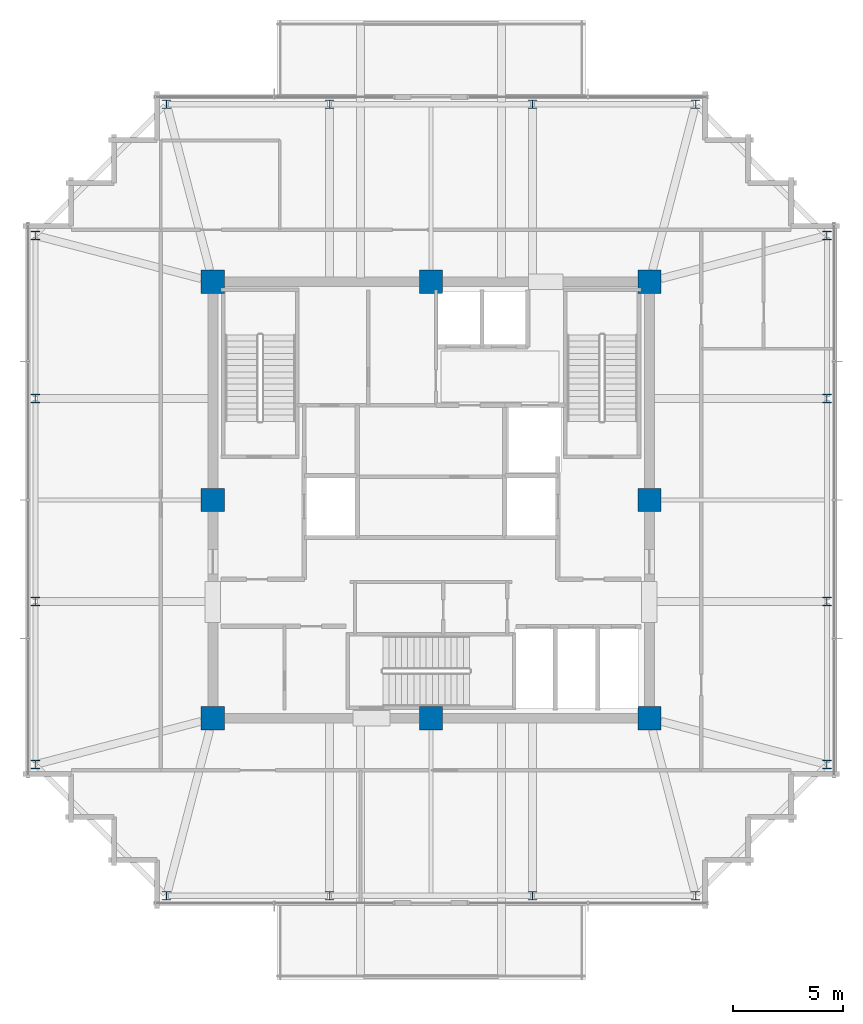
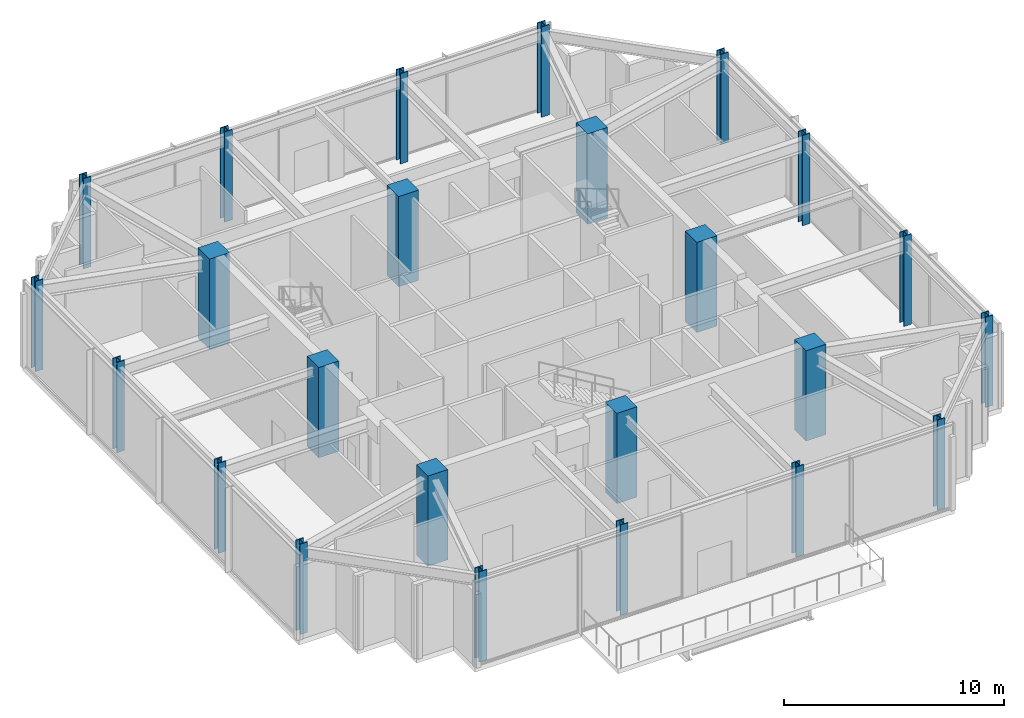
# One storey, part 1 of 31: 24 columns.
"""IFC4 building model written with IfcOpenShell, lengths in metres."""

from ifc_helpers import new_model, si_unit, direction, frame, origin, origin_2d, place, context, subcontext, project, spatial, rectangle, i_section, extrude, material, material_profile, profile_set, type_object, element, save


model = new_model("IFC4")

# Units and contexts
model_context = context("Model", 3, precision=1e-05, world=origin(), true_north=direction((0.0, 1.0)))
body_context = subcontext(model_context, "Body", "Model", "MODEL_VIEW")
ifc_project = project(units=[si_unit("LENGTHUNIT", "METRE"), si_unit("AREAUNIT", "SQUARE_METRE"), si_unit("VOLUMEUNIT", "CUBIC_METRE"), si_unit("PLANEANGLEUNIT", "RADIAN"), si_unit("MASSUNIT", "GRAM", prefix="KILO")], contexts=[model_context])

# Site, building, storey
site_placement = place(None, origin())
site = spatial("IfcSite", under=ifc_project, at=site_placement, CompositionType="ELEMENT")
building_placement = place(site_placement, origin())
building = spatial("IfcBuilding", under=site, at=building_placement, Name="Kolvaren Belvedere", CompositionType="ELEMENT")
storey_placement = place(building_placement, frame((0.0, 0.0, 267.39990234375)))
storey = spatial("IfcBuildingStorey", under=building, at=storey_placement, Name="L77", CompositionType="ELEMENT", Elevation=267.39990234375)

# Columns
ifc_material_1 = material(Name="Concrete C50/60", Category="concrete")
ifc_material_profile_1 = material_profile(ifc_material_1, rectangle(XDim=1.050048828125, YDim=1.050048828125, at=origin_2d()), Name="RC 1050X1050")
ifc_profile_set_1 = profile_set([ifc_material_profile_1], Name="Concrete C50/60")
column_type_1 = type_object("IfcColumnType", Name="COL-RC-1050", PredefinedType="COLUMN", material=ifc_profile_set_1)
for number, where, z_axis, x_axis, name in (
    (1, (-9.89990234375, -9.89990234375, 0.0), (0.0, 0.0, 1.0), (1.0, 0.0, 0.0), "L77 Core Column CC1"),
    (2, (9.89990234375, -9.89990234375, 0.0), (0.0, 0.0, 1.0), (1.0, 0.0, 0.0), "L77 Core Column CC2"),
    (3, (9.89990234375, 9.89990234375, 0.0), (0.0, 0.0, 1.0), (1.0, 0.0, 0.0), "L77 Core Column CC3"),
    (4, (-9.89990234375, 9.89990234375, 0.0), (0.0, 0.0, 1.0), (1.0, 0.0, 0.0), "L77 Core Column CC4"),
    (5, (0.0, -9.89990234375, 0.0), (0.0, 0.0, 1.0), (1.0, 0.0, 0.0), "L77 Core Column CM1"),
    (6, (9.89990234375, 0.0, 0.0), (0.0, 0.0, 1.0), (1.0, 0.0, 0.0), "L77 Core Column CM2"),
    (7, (0.0, 9.89990234375, 0.0), (0.0, 0.0, 1.0), (1.0, 0.0, 0.0), "L77 Core Column CM3"),
    (8, (-9.89990234375, 0.0, 0.0), (0.0, 0.0, 1.0), (1.0, 0.0, 0.0), "L77 Core Column CM4"),
):
    element("IfcColumn", number, at=place(storey_placement, frame(where, z_axis=z_axis, x_axis=x_axis)), inside=storey, type_object=column_type_1, Name=name, PredefinedType="COLUMN", context=body_context, shape_type="SweptSolid", body=[
        extrude(rectangle(XDim=1.050048828125, YDim=1.050048828125, at=origin_2d()), origin(), (0.0, 0.0, 1.0), 5.0),
    ])
ifc_material_2 = material(Name="Structural steel ASTM A992 Grade 50", Category="steel")
ifc_material_profile_2 = material_profile(ifc_material_2, i_section(OverallWidth=0.404052734375, OverallDepth=0.406982421875, WebThickness=0.027099609375, FlangeThickness=0.043701171875, FilletRadius=0.02490234375, at=origin_2d()), Name="W14X233")
ifc_profile_set_2 = profile_set([ifc_material_profile_2], Name="Structural steel ASTM A992 Grade 50")
column_type_2 = type_object("IfcColumnType", Name="COL-ST-W14X233", PredefinedType="COLUMN", material=ifc_profile_set_2)
for number, where, z_axis, x_axis, name in (
    (9, (-12.0, -17.949951171875, 0.0), (0.0, 0.0, 1.0), (1.0, 0.0, 0.0), "L77 Perimeter Column S1"),
    (10, (-4.60009765625, -17.949951171875, 0.0), (0.0, 0.0, 1.0), (1.0, 0.0, 0.0), "L77 Perimeter Column S2"),
    (11, (4.60009765625, -17.949951171875, 0.0), (0.0, 0.0, 1.0), (1.0, 0.0, 0.0), "L77 Perimeter Column S3"),
    (12, (12.0, -17.949951171875, 0.0), (0.0, 0.0, 1.0), (1.0, 0.0, 0.0), "L77 Perimeter Column S4"),
    (13, (-12.0, 17.949951171875, 0.0), (0.0, 0.0, 1.0), (1.0, 0.0, 0.0), "L77 Perimeter Column N1"),
    (14, (-4.60009765625, 17.949951171875, 0.0), (0.0, 0.0, 1.0), (1.0, 0.0, 0.0), "L77 Perimeter Column N2"),
    (15, (4.60009765625, 17.949951171875, 0.0), (0.0, 0.0, 1.0), (1.0, 0.0, 0.0), "L77 Perimeter Column N3"),
    (16, (12.0, 17.949951171875, 0.0), (0.0, 0.0, 1.0), (1.0, 0.0, 0.0), "L77 Perimeter Column N4"),
    (17, (-17.949951171875, -12.0, 0.0), (0.0, 0.0, 1.0), (1.0, 0.0, 0.0), "L77 Perimeter Column W1"),
    (18, (-17.949951171875, -4.60009765625, 0.0), (0.0, 0.0, 1.0), (1.0, 0.0, 0.0), "L77 Perimeter Column W2"),
    (19, (-17.949951171875, 4.60009765625, 0.0), (0.0, 0.0, 1.0), (1.0, 0.0, 0.0), "L77 Perimeter Column W3"),
    (20, (-17.949951171875, 12.0, 0.0), (0.0, 0.0, 1.0), (1.0, 0.0, 0.0), "L77 Perimeter Column W4"),
    (21, (17.949951171875, -12.0, 0.0), (0.0, 0.0, 1.0), (1.0, 0.0, 0.0), "L77 Perimeter Column E1"),
    (22, (17.949951171875, -4.60009765625, 0.0), (0.0, 0.0, 1.0), (1.0, 0.0, 0.0), "L77 Perimeter Column E2"),
    (23, (17.949951171875, 4.60009765625, 0.0), (0.0, 0.0, 1.0), (1.0, 0.0, 0.0), "L77 Perimeter Column E3"),
    (24, (17.949951171875, 12.0, 0.0), (0.0, 0.0, 1.0), (1.0, 0.0, 0.0), "L77 Perimeter Column E4"),
):
    element("IfcColumn", number, at=place(storey_placement, frame(where, z_axis=z_axis, x_axis=x_axis)), inside=storey, type_object=column_type_2, Name=name, PredefinedType="COLUMN", context=body_context, shape_type="SweptSolid", body=[
        extrude(i_section(OverallWidth=0.404052734375, OverallDepth=0.406982421875, WebThickness=0.027099609375, FlangeThickness=0.043701171875, FilletRadius=0.02490234375, at=origin_2d()), origin(), (0.0, 0.0, 1.0), 5.0),
    ])

save(model, "model.ifc")
